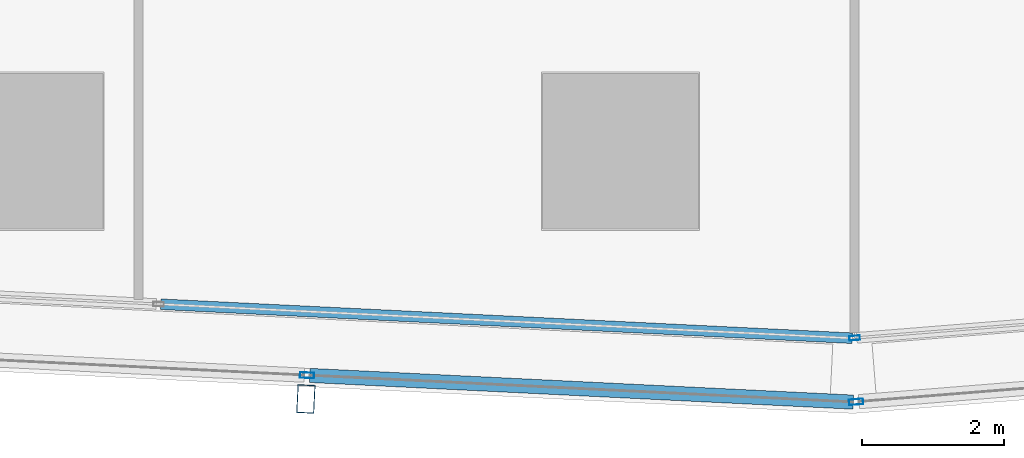
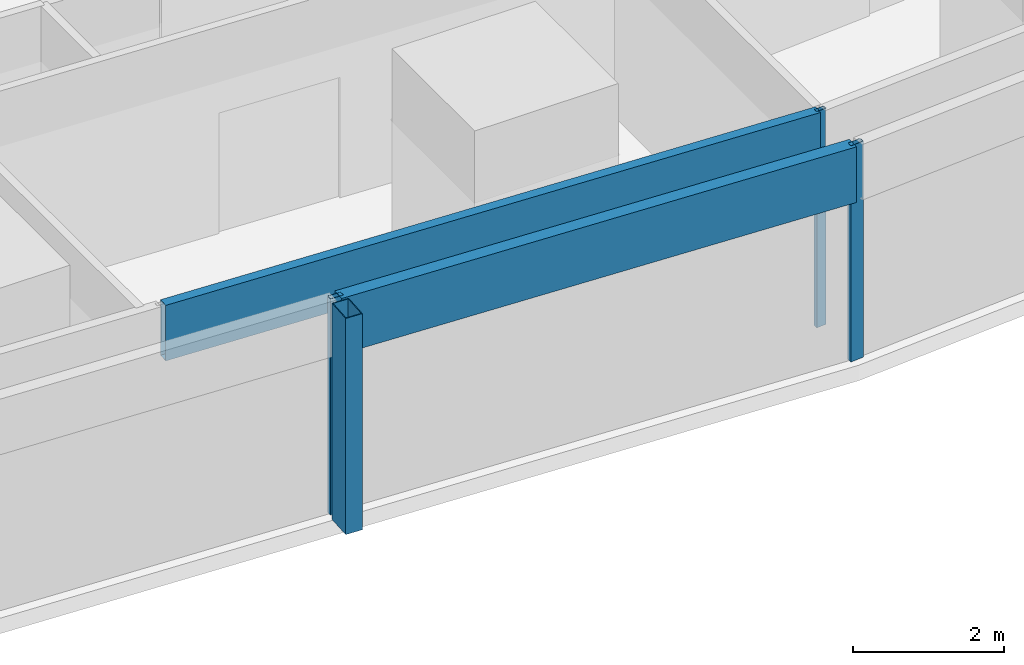
# One storey, part 9 of 42: 6 members, 4 elements without a shape of their own.
"""IFC4 building model written with IfcOpenShell, lengths in metres."""

from ifc_helpers import new_model, si_unit, direction, frame, origin, origin_2d, place, context, subcontext, project, spatial, hollow_rectangle, extrude, material, material_profile, profile_set, type_object, element, aggregate, save


model = new_model("IFC4")

# Units and contexts
model_context = context("Model", 3, precision=1e-05, world=origin(), true_north=direction((0.0, 1.0)))
body_context = subcontext(model_context, "Body", "Model", "MODEL_VIEW")
ifc_project = project(units=[si_unit("LENGTHUNIT", "METRE"), si_unit("AREAUNIT", "SQUARE_METRE"), si_unit("VOLUMEUNIT", "CUBIC_METRE"), si_unit("PLANEANGLEUNIT", "RADIAN"), si_unit("MASSUNIT", "GRAM", prefix="KILO")], contexts=[model_context])

# Site, building, storey
site_placement = place(None, origin())
site = spatial("IfcSite", under=ifc_project, at=site_placement, CompositionType="ELEMENT")
building_placement = place(site_placement, origin())
building = spatial("IfcBuilding", under=site, at=building_placement, Name="Rekha Terrace Tower", CompositionType="ELEMENT")
storey_placement = place(building_placement, frame((0.0, 0.0, 70.39990234375)))
storey = spatial("IfcBuildingStorey", under=building, at=storey_placement, Name="L17", CompositionType="ELEMENT", Elevation=70.39990234375)

# Curtain wall, member
ifc_material_1 = material(Name="Aluminium framing", Category="aluminium")
curtain_wall_type_1 = type_object("IfcCurtainWallType", Name="CW2 double skin outer glazing", PredefinedType="USERDEFINED", material=ifc_material_1)
curtain_wall_1_placement = place(storey_placement, origin())
curtain_wall_1 = element("IfcCurtainWall", 1, at=curtain_wall_1_placement, inside=storey, type_object=curtain_wall_type_1, Name="CW2 double skin outer glazing", ObjectType="DOUBLE SKIN OUTER GLAZING", PredefinedType="USERDEFINED")
ifc_material_2 = material(Name="Steel S355 with fluorocarbon finish", Category="steel")
ifc_material_profile_1 = material_profile(ifc_material_2, hollow_rectangle(XDim=0.25, YDim=0.39990234375, WallThickness=0.012451171875, at=origin_2d()), Name="RHS400x250x12.5")
ifc_profile_set_1 = profile_set([ifc_material_profile_1], Name="Steel S355 with fluorocarbon finish")
member_type_1 = type_object("IfcMemberType", Name="BL1 facade blade RHS 400 x 250", PredefinedType="USERDEFINED", material=ifc_profile_set_1)
member_1_placement = place(storey_placement, frame((37.562744140625, 4.904296875, 0.0), z_axis=(0.0, 0.0, 1.0), x_axis=(0.998796226835, -0.049051985279, 0.0)))
member_1 = element("IfcMember", 2, at=member_1_placement, type_object=member_type_1, Name="Facade blade", ObjectType="FACADE BLADE", PredefinedType="USERDEFINED", context=body_context, shape_type="SweptSolid", body=[
    extrude(hollow_rectangle(XDim=0.25, YDim=0.39990234375, WallThickness=0.012451171875, at=origin_2d()), origin(), (0.0, 0.0, 1.0), 3.5),
])

curtain_wall_type_2 = type_object("IfcCurtainWallType", Name="CW1 double skin inner glazing", PredefinedType="USERDEFINED", material=ifc_material_1)
curtain_wall_2_placement = place(storey_placement, origin())
curtain_wall_2 = element("IfcCurtainWall", 3, at=curtain_wall_2_placement, inside=storey, type_object=curtain_wall_type_2, Name="CW1 double skin inner glazing", ObjectType="DOUBLE SKIN INNER GLAZING", PredefinedType="USERDEFINED")
ifc_material_3 = material(Name="Aluminium mullion section", Category="aluminium")
ifc_material_profile_2 = material_profile(ifc_material_3, hollow_rectangle(XDim=0.06494140625, YDim=0.14990234375, WallThickness=0.00390625, at=origin_2d()), Name="AL RHS 65x150")
ifc_profile_set_2 = profile_set([ifc_material_profile_2], Name="Aluminium mullion section")
member_type_2 = type_object("IfcMemberType", Name="CW1 mullion RHS 65 x 150", PredefinedType="MULLION", material=ifc_profile_set_2)
member_2_placement = place(storey_placement, frame((45.303955078125, 5.7646484375, 0.0), z_axis=(0.0, 0.0, 1.0), x_axis=(-0.079872204468, 0.996805111821, 0.0)))
member_2 = element("IfcMember", 4, at=member_2_placement, type_object=member_type_2, Name="CW1 mullion 1", PredefinedType="MULLION", context=body_context, shape_type="SweptSolid", body=[
    extrude(hollow_rectangle(XDim=0.06494140625, YDim=0.14990234375, WallThickness=0.00390625, at=origin_2d()), origin(), (0.0, 0.0, 1.0), 3.5),
])
aggregate(curtain_wall_2, [member_2])

curtain_wall_3_placement = place(storey_placement, origin())
curtain_wall_3 = element("IfcCurtainWall", 5, at=curtain_wall_3_placement, inside=storey, type_object=curtain_wall_type_2, Name="CW1 double skin inner glazing", ObjectType="DOUBLE SKIN INNER GLAZING", PredefinedType="USERDEFINED")
ifc_material_4 = material(Name="Insulated aluminium spandrel box", Category="aluminium")
ifc_material_profile_3 = material_profile(ifc_material_4, hollow_rectangle(XDim=0.14990234375, YDim=0.89990234375, WallThickness=0.0029296875, at=origin_2d()), Name="AL SPANDREL BOX 150x900")
ifc_profile_set_3 = profile_set([ifc_material_profile_3], Name="Insulated aluminium spandrel box")
member_type_3 = type_object("IfcMemberType", Name="CW1 spandrel transom 150 x 900", PredefinedType="USERDEFINED", material=ifc_profile_set_3)
member_3_placement = place(storey_placement, frame((35.516357421875, 6.2412109375, 3.050048828125), z_axis=(0.998795409084, -0.049068633482, 0.0), x_axis=(0.049068633482, 0.998795409084, 0.0)))
member_3 = element("IfcMember", 6, at=member_3_placement, type_object=member_type_3, Name="CW1 spandrel transom 3", ObjectType="TRANSOM", PredefinedType="USERDEFINED", context=body_context, shape_type="SweptSolid", body=[
    extrude(hollow_rectangle(XDim=0.14990234375, YDim=0.89990234375, WallThickness=0.0029296875, at=origin_2d()), origin(), (0.0, 0.0, 1.0), 9.766845703125),
])
aggregate(curtain_wall_3, [member_3])

# Member
ifc_material_profile_4 = material_profile(ifc_material_3, hollow_rectangle(XDim=0.080078125, YDim=0.199951171875, WallThickness=0.00390625, at=origin_2d()), Name="AL RHS 80x200")
ifc_profile_set_4 = profile_set([ifc_material_profile_4], Name="Aluminium mullion section")
member_type_4 = type_object("IfcMemberType", Name="CW2 mullion RHS 80 x 200", PredefinedType="MULLION", material=ifc_profile_set_4)
member_4_placement = place(storey_placement, frame((37.5791015625, 5.23876953125, 0.0), z_axis=(0.0, 0.0, 1.0), x_axis=(0.049051717746, 0.998796239974, 0.0)))
member_4 = element("IfcMember", 7, at=member_4_placement, type_object=member_type_4, Name="CW2 mullion 5", PredefinedType="MULLION", context=body_context, shape_type="SweptSolid", body=[
    extrude(hollow_rectangle(XDim=0.080078125, YDim=0.199951171875, WallThickness=0.00390625, at=origin_2d()), origin(), (0.0, 0.0, 1.0), 3.5),
])

# Curtain wall, member
curtain_wall_4_placement = place(storey_placement, origin())
curtain_wall_4 = element("IfcCurtainWall", 8, at=curtain_wall_4_placement, inside=storey, type_object=curtain_wall_type_1, Name="CW2 double skin outer glazing", ObjectType="DOUBLE SKIN OUTER GLAZING", PredefinedType="USERDEFINED")
member_5_placement = place(storey_placement, frame((45.325439453125, 4.863525390625, 0.0), z_axis=(0.0, 0.0, 1.0), x_axis=(-0.079872204468, 0.996805111821, 0.0)))
member_5 = element("IfcMember", 9, at=member_5_placement, type_object=member_type_4, Name="CW2 mullion 1", PredefinedType="MULLION", context=body_context, shape_type="SweptSolid", body=[
    extrude(hollow_rectangle(XDim=0.080078125, YDim=0.199951171875, WallThickness=0.00390625, at=origin_2d()), origin(), (0.0, 0.0, 1.0), 3.5),
])
aggregate(curtain_wall_4, [member_5])

# Member
ifc_material_profile_5 = material_profile(ifc_material_4, hollow_rectangle(XDim=0.199951171875, YDim=0.89990234375, WallThickness=0.0029296875, at=origin_2d()), Name="AL SPANDREL BOX 200x900")
ifc_profile_set_5 = profile_set([ifc_material_profile_5], Name="Insulated aluminium spandrel box")
member_type_5 = type_object("IfcMemberType", Name="CW2 spandrel transom 200 x 900", PredefinedType="USERDEFINED", material=ifc_profile_set_5)
member_6_placement = place(storey_placement, frame((37.619140625, 5.23681640625, 3.050048828125), z_axis=(0.998796518042, -0.049046055373, 0.0), x_axis=(0.049046055373, 0.998796518042, 0.0)))
member_6 = element("IfcMember", 10, at=member_6_placement, type_object=member_type_5, Name="CW2 spandrel transom 5", ObjectType="TRANSOM", PredefinedType="USERDEFINED", context=body_context, shape_type="SweptSolid", body=[
    extrude(hollow_rectangle(XDim=0.199951171875, YDim=0.89990234375, WallThickness=0.0029296875, at=origin_2d()), origin(), (0.0, 0.0, 1.0), 7.67578125),
])

aggregate(curtain_wall_1, [member_4, member_6, member_1])

save(model, "model.ifc")
